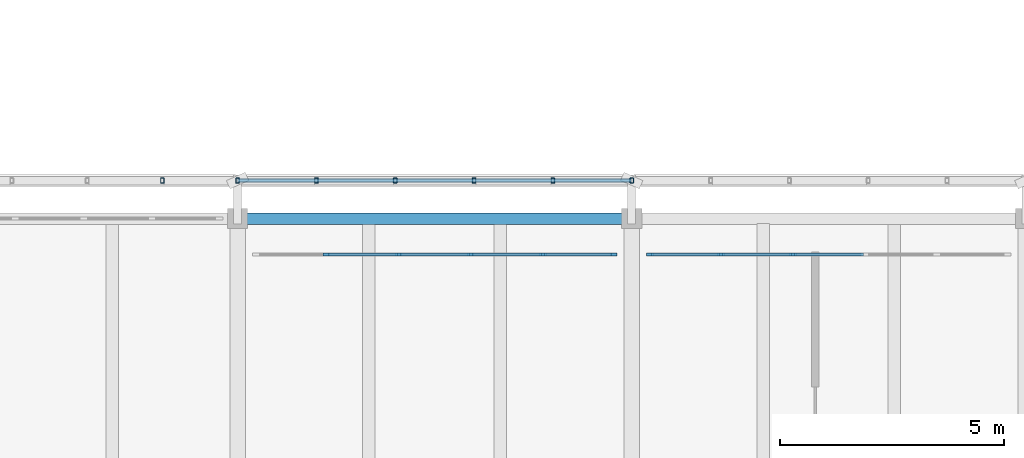
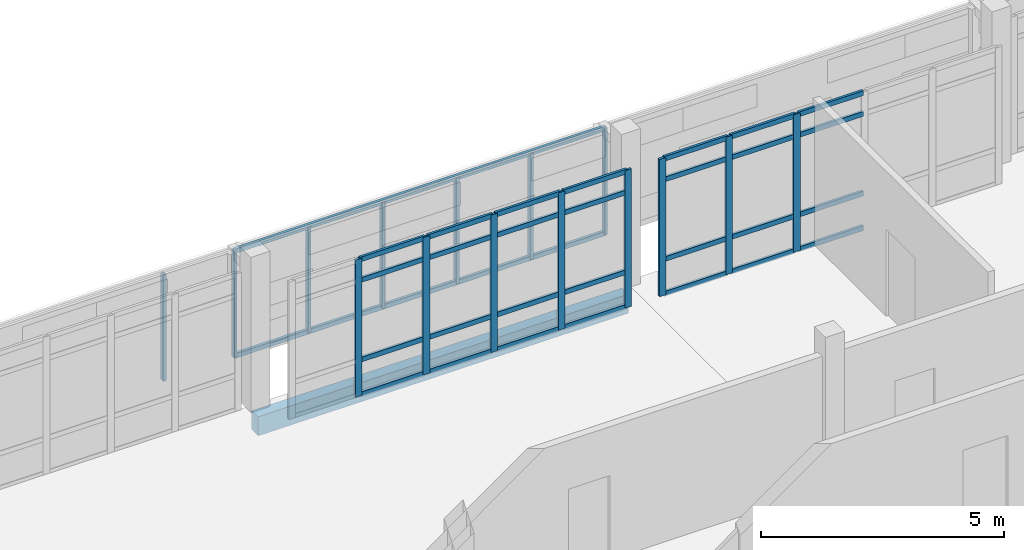
# One storey, part 28 of 117: 45 members, 1 beam, 2 elements without a shape of their own.
"""IFC4 building model written with IfcOpenShell, lengths in metres."""

from ifc_helpers import new_model, si_unit, direction, frame, origin, origin_2d, place, context, subcontext, project, spatial, rectangle, hollow_rectangle, extrude, material, material_profile, profile_set, type_object, element, aggregate, save


model = new_model("IFC4")

# Units and contexts
model_context = context("Model", 3, precision=1e-05, world=origin(), true_north=direction((0.0, 1.0)))
body_context = subcontext(model_context, "Body", "Model", "MODEL_VIEW")
ifc_project = project(units=[si_unit("LENGTHUNIT", "METRE"), si_unit("AREAUNIT", "SQUARE_METRE"), si_unit("VOLUMEUNIT", "CUBIC_METRE"), si_unit("PLANEANGLEUNIT", "RADIAN"), si_unit("MASSUNIT", "GRAM", prefix="KILO")], contexts=[model_context])

# Site, building, storey
site_placement = place(None, origin())
site = spatial("IfcSite", under=ifc_project, at=site_placement, CompositionType="ELEMENT")
building_placement = place(site_placement, origin())
building = spatial("IfcBuilding", under=site, at=building_placement, Name="Cinderway Yard Community Centre", CompositionType="ELEMENT")
storey_placement = place(building_placement, frame((0.0, 0.0, 9.0)))
storey = spatial("IfcBuildingStorey", under=building, at=storey_placement, Name="L02", CompositionType="ELEMENT", Elevation=9.0)

# Curtain wall, members
ifc_material_1 = material(Name="Aluminium 6063-T6", Category="aluminium")
curtain_wall_type = type_object("IfcCurtainWallType", Name="ENV-CW-TYPE-30", PredefinedType="USERDEFINED", material=ifc_material_1)
curtain_wall_1_placement = place(storey_placement, origin())
curtain_wall_1 = element("IfcCurtainWall", 1, at=curtain_wall_1_placement, inside=storey, type_object=curtain_wall_type, Name="Dining Courtyard Curtain Wall ENV-CW-L02-ST-0103", ObjectType="GLAZED CURTAIN WALL", PredefinedType="USERDEFINED")
ifc_material_profile_1 = material_profile(ifc_material_1, rectangle(XDim=0.06005859375, YDim=0.159912109375, at=origin_2d()), Name="Aluminium 6063-T6")
ifc_profile_set_1 = profile_set([ifc_material_profile_1], Name="Aluminium 6063-T6")
member_type_1 = type_object("IfcMemberType", Name="ENV-CW-MULL-150", PredefinedType="MULLION", material=ifc_profile_set_1)
member_1_placement = place(storey_placement, frame((77.18798828125, 22.0, 0.0), z_axis=(0.0, 0.0, 1.0), x_axis=(0.0, 1.0, 0.0)))
member_1 = element("IfcMember", 2, at=member_1_placement, type_object=member_type_1, Name="CW-30 mullion 2", PredefinedType="MULLION", context=body_context, shape_type="SweptSolid", body=[
    extrude(rectangle(XDim=0.06005859375, YDim=0.159912109375, at=origin_2d()), origin(), (0.0, 0.0, 1.0), 3.449951171875),
])
member_2_placement = place(storey_placement, frame((78.7958984375, 22.0, 0.0), z_axis=(0.0, 0.0, 1.0), x_axis=(0.0, 1.0, 0.0)))
member_2 = element("IfcMember", 3, at=member_2_placement, type_object=member_type_1, Name="CW-30 mullion 3", PredefinedType="MULLION", context=body_context, shape_type="SweptSolid", body=[
    extrude(rectangle(XDim=0.06005859375, YDim=0.159912109375, at=origin_2d()), origin(), (0.0, 0.0, 1.0), 3.449951171875),
])
member_3_placement = place(storey_placement, frame((80.404052734375, 22.0, 0.0), z_axis=(0.0, 0.0, 1.0), x_axis=(0.0, 1.0, 0.0)))
member_3 = element("IfcMember", 4, at=member_3_placement, type_object=member_type_1, Name="CW-30 mullion 4", PredefinedType="MULLION", context=body_context, shape_type="SweptSolid", body=[
    extrude(rectangle(XDim=0.06005859375, YDim=0.159912109375, at=origin_2d()), origin(), (0.0, 0.0, 1.0), 3.449951171875),
])
member_4_placement = place(storey_placement, frame((82.011962890625, 22.0, 0.0), z_axis=(0.0, 0.0, 1.0), x_axis=(0.0, 1.0, 0.0)))
member_4 = element("IfcMember", 5, at=member_4_placement, type_object=member_type_1, Name="CW-30 mullion 5", PredefinedType="MULLION", context=body_context, shape_type="SweptSolid", body=[
    extrude(rectangle(XDim=0.06005859375, YDim=0.159912109375, at=origin_2d()), origin(), (0.0, 0.0, 1.0), 3.449951171875),
])
member_5_placement = place(storey_placement, frame((83.590087890625, 22.0, 0.0), z_axis=(0.0, 0.0, 1.0), x_axis=(0.0, 1.0, 0.0)))
member_5 = element("IfcMember", 6, at=member_5_placement, type_object=member_type_1, Name="CW-30 mullion 6", PredefinedType="MULLION", context=body_context, shape_type="SweptSolid", body=[
    extrude(rectangle(XDim=0.06005859375, YDim=0.159912109375, at=origin_2d()), origin(), (0.0, 0.0, 1.0), 3.449951171875),
])

curtain_wall_2_placement = place(storey_placement, origin())
curtain_wall_2 = element("IfcCurtainWall", 7, at=curtain_wall_2_placement, inside=storey, type_object=curtain_wall_type, Name="Dining Courtyard Curtain Wall ENV-CW-L02-ST-0104", ObjectType="GLAZED CURTAIN WALL", PredefinedType="USERDEFINED")
member_6_placement = place(storey_placement, frame((84.409912109375, 22.0, 0.0), z_axis=(0.0, 0.0, 1.0), x_axis=(0.0, 1.0, 0.0)))
member_6 = element("IfcMember", 8, at=member_6_placement, type_object=member_type_1, Name="CW-30 mullion 1", PredefinedType="MULLION", context=body_context, shape_type="SweptSolid", body=[
    extrude(rectangle(XDim=0.06005859375, YDim=0.159912109375, at=origin_2d()), origin(), (0.0, 0.0, 1.0), 3.449951171875),
])
member_7_placement = place(storey_placement, frame((85.988037109375, 22.0, 0.0), z_axis=(0.0, 0.0, 1.0), x_axis=(0.0, 1.0, 0.0)))
member_7 = element("IfcMember", 9, at=member_7_placement, type_object=member_type_1, Name="CW-30 mullion 2", PredefinedType="MULLION", context=body_context, shape_type="SweptSolid", body=[
    extrude(rectangle(XDim=0.06005859375, YDim=0.159912109375, at=origin_2d()), origin(), (0.0, 0.0, 1.0), 3.449951171875),
])
member_8_placement = place(storey_placement, frame((87.595947265625, 22.0, 0.0), z_axis=(0.0, 0.0, 1.0), x_axis=(0.0, 1.0, 0.0)))
member_8 = element("IfcMember", 10, at=member_8_placement, type_object=member_type_1, Name="CW-30 mullion 3", PredefinedType="MULLION", context=body_context, shape_type="SweptSolid", body=[
    extrude(rectangle(XDim=0.06005859375, YDim=0.159912109375, at=origin_2d()), origin(), (0.0, 0.0, 1.0), 3.449951171875),
])

# Member
ifc_material_profile_2 = material_profile(ifc_material_1, rectangle(XDim=0.06005859375, YDim=0.1201171875, at=origin_2d()), Name="Aluminium 6063-T6")
ifc_profile_set_2 = profile_set([ifc_material_profile_2], Name="Aluminium 6063-T6")
member_type_2 = type_object("IfcMemberType", Name="ENV-CW-TRAN-110", PredefinedType="USERDEFINED", material=ifc_profile_set_2)
member_9_placement = place(storey_placement, frame((77.218017578125, 22.0, 0.030029296875), z_axis=(1.0, 0.0, 0.0), x_axis=(0.0, 1.0, 0.0)))
member_9 = element("IfcMember", 11, at=member_9_placement, type_object=member_type_2, Name="CW-30 transom 2.1", ObjectType="TRANSOM", PredefinedType="USERDEFINED", context=body_context, shape_type="SweptSolid", body=[
    extrude(rectangle(XDim=0.06005859375, YDim=0.1201171875, at=origin_2d()), origin(), (0.0, 0.0, 1.0), 1.548095703125),
])

member_10_placement = place(storey_placement, frame((77.218017578125, 22.0, 0.89990234375), z_axis=(1.0, 0.0, 0.0), x_axis=(0.0, 1.0, 0.0)))
member_10 = element("IfcMember", 12, at=member_10_placement, type_object=member_type_2, Name="CW-30 transom 2.2", ObjectType="TRANSOM", PredefinedType="USERDEFINED", context=body_context, shape_type="SweptSolid", body=[
    extrude(rectangle(XDim=0.06005859375, YDim=0.1201171875, at=origin_2d()), origin(), (0.0, 0.0, 1.0), 1.548095703125),
])

member_11_placement = place(storey_placement, frame((77.218017578125, 22.0, 2.89990234375), z_axis=(1.0, 0.0, 0.0), x_axis=(0.0, 1.0, 0.0)))
member_11 = element("IfcMember", 13, at=member_11_placement, type_object=member_type_2, Name="CW-30 transom 2.3", ObjectType="TRANSOM", PredefinedType="USERDEFINED", context=body_context, shape_type="SweptSolid", body=[
    extrude(rectangle(XDim=0.06005859375, YDim=0.1201171875, at=origin_2d()), origin(), (0.0, 0.0, 1.0), 1.548095703125),
])

member_12_placement = place(storey_placement, frame((77.218017578125, 22.0, 3.419921875), z_axis=(1.0, 0.0, 0.0), x_axis=(0.0, 1.0, 0.0)))
member_12 = element("IfcMember", 14, at=member_12_placement, type_object=member_type_2, Name="CW-30 transom 2.4", ObjectType="TRANSOM", PredefinedType="USERDEFINED", context=body_context, shape_type="SweptSolid", body=[
    extrude(rectangle(XDim=0.06005859375, YDim=0.1201171875, at=origin_2d()), origin(), (0.0, 0.0, 1.0), 1.548095703125),
])

member_13_placement = place(storey_placement, frame((78.825927734375, 22.0, 0.030029296875), z_axis=(1.0, 0.0, 0.0), x_axis=(0.0, 1.0, 0.0)))
member_13 = element("IfcMember", 15, at=member_13_placement, type_object=member_type_2, Name="CW-30 transom 3.1", ObjectType="TRANSOM", PredefinedType="USERDEFINED", context=body_context, shape_type="SweptSolid", body=[
    extrude(rectangle(XDim=0.06005859375, YDim=0.1201171875, at=origin_2d()), origin(), (0.0, 0.0, 1.0), 1.548095703125),
])

member_14_placement = place(storey_placement, frame((78.825927734375, 22.0, 0.89990234375), z_axis=(1.0, 0.0, 0.0), x_axis=(0.0, 1.0, 0.0)))
member_14 = element("IfcMember", 16, at=member_14_placement, type_object=member_type_2, Name="CW-30 transom 3.2", ObjectType="TRANSOM", PredefinedType="USERDEFINED", context=body_context, shape_type="SweptSolid", body=[
    extrude(rectangle(XDim=0.06005859375, YDim=0.1201171875, at=origin_2d()), origin(), (0.0, 0.0, 1.0), 1.548095703125),
])

member_15_placement = place(storey_placement, frame((78.825927734375, 22.0, 2.89990234375), z_axis=(1.0, 0.0, 0.0), x_axis=(0.0, 1.0, 0.0)))
member_15 = element("IfcMember", 17, at=member_15_placement, type_object=member_type_2, Name="CW-30 transom 3.3", ObjectType="TRANSOM", PredefinedType="USERDEFINED", context=body_context, shape_type="SweptSolid", body=[
    extrude(rectangle(XDim=0.06005859375, YDim=0.1201171875, at=origin_2d()), origin(), (0.0, 0.0, 1.0), 1.548095703125),
])

member_16_placement = place(storey_placement, frame((78.825927734375, 22.0, 3.419921875), z_axis=(1.0, 0.0, 0.0), x_axis=(0.0, 1.0, 0.0)))
member_16 = element("IfcMember", 18, at=member_16_placement, type_object=member_type_2, Name="CW-30 transom 3.4", ObjectType="TRANSOM", PredefinedType="USERDEFINED", context=body_context, shape_type="SweptSolid", body=[
    extrude(rectangle(XDim=0.06005859375, YDim=0.1201171875, at=origin_2d()), origin(), (0.0, 0.0, 1.0), 1.548095703125),
])

member_17_placement = place(storey_placement, frame((80.43408203125, 22.0, 0.030029296875), z_axis=(1.0, 0.0, 0.0), x_axis=(0.0, 1.0, 0.0)))
member_17 = element("IfcMember", 19, at=member_17_placement, type_object=member_type_2, Name="CW-30 transom 4.1", ObjectType="TRANSOM", PredefinedType="USERDEFINED", context=body_context, shape_type="SweptSolid", body=[
    extrude(rectangle(XDim=0.06005859375, YDim=0.1201171875, at=origin_2d()), origin(), (0.0, 0.0, 1.0), 1.5478515625),
])

member_18_placement = place(storey_placement, frame((80.43408203125, 22.0, 0.89990234375), z_axis=(1.0, 0.0, 0.0), x_axis=(0.0, 1.0, 0.0)))
member_18 = element("IfcMember", 20, at=member_18_placement, type_object=member_type_2, Name="CW-30 transom 4.2", ObjectType="TRANSOM", PredefinedType="USERDEFINED", context=body_context, shape_type="SweptSolid", body=[
    extrude(rectangle(XDim=0.06005859375, YDim=0.1201171875, at=origin_2d()), origin(), (0.0, 0.0, 1.0), 1.5478515625),
])

member_19_placement = place(storey_placement, frame((80.43408203125, 22.0, 2.89990234375), z_axis=(1.0, 0.0, 0.0), x_axis=(0.0, 1.0, 0.0)))
member_19 = element("IfcMember", 21, at=member_19_placement, type_object=member_type_2, Name="CW-30 transom 4.3", ObjectType="TRANSOM", PredefinedType="USERDEFINED", context=body_context, shape_type="SweptSolid", body=[
    extrude(rectangle(XDim=0.06005859375, YDim=0.1201171875, at=origin_2d()), origin(), (0.0, 0.0, 1.0), 1.5478515625),
])

member_20_placement = place(storey_placement, frame((80.43408203125, 22.0, 3.419921875), z_axis=(1.0, 0.0, 0.0), x_axis=(0.0, 1.0, 0.0)))
member_20 = element("IfcMember", 22, at=member_20_placement, type_object=member_type_2, Name="CW-30 transom 4.4", ObjectType="TRANSOM", PredefinedType="USERDEFINED", context=body_context, shape_type="SweptSolid", body=[
    extrude(rectangle(XDim=0.06005859375, YDim=0.1201171875, at=origin_2d()), origin(), (0.0, 0.0, 1.0), 1.5478515625),
])

member_21_placement = place(storey_placement, frame((82.0419921875, 22.0, 0.030029296875), z_axis=(1.0, 0.0, 0.0), x_axis=(0.0, 1.0, 0.0)))
member_21 = element("IfcMember", 23, at=member_21_placement, type_object=member_type_2, Name="CW-30 transom 5.1", ObjectType="TRANSOM", PredefinedType="USERDEFINED", context=body_context, shape_type="SweptSolid", body=[
    extrude(rectangle(XDim=0.06005859375, YDim=0.1201171875, at=origin_2d()), origin(), (0.0, 0.0, 1.0), 1.51806640625),
])

member_22_placement = place(storey_placement, frame((82.0419921875, 22.0, 0.89990234375), z_axis=(1.0, 0.0, 0.0), x_axis=(0.0, 1.0, 0.0)))
member_22 = element("IfcMember", 24, at=member_22_placement, type_object=member_type_2, Name="CW-30 transom 5.2", ObjectType="TRANSOM", PredefinedType="USERDEFINED", context=body_context, shape_type="SweptSolid", body=[
    extrude(rectangle(XDim=0.06005859375, YDim=0.1201171875, at=origin_2d()), origin(), (0.0, 0.0, 1.0), 1.51806640625),
])

member_23_placement = place(storey_placement, frame((82.0419921875, 22.0, 2.89990234375), z_axis=(1.0, 0.0, 0.0), x_axis=(0.0, 1.0, 0.0)))
member_23 = element("IfcMember", 25, at=member_23_placement, type_object=member_type_2, Name="CW-30 transom 5.3", ObjectType="TRANSOM", PredefinedType="USERDEFINED", context=body_context, shape_type="SweptSolid", body=[
    extrude(rectangle(XDim=0.06005859375, YDim=0.1201171875, at=origin_2d()), origin(), (0.0, 0.0, 1.0), 1.51806640625),
])

member_24_placement = place(storey_placement, frame((82.0419921875, 22.0, 3.419921875), z_axis=(1.0, 0.0, 0.0), x_axis=(0.0, 1.0, 0.0)))
member_24 = element("IfcMember", 26, at=member_24_placement, type_object=member_type_2, Name="CW-30 transom 5.4", ObjectType="TRANSOM", PredefinedType="USERDEFINED", context=body_context, shape_type="SweptSolid", body=[
    extrude(rectangle(XDim=0.06005859375, YDim=0.1201171875, at=origin_2d()), origin(), (0.0, 0.0, 1.0), 1.51806640625),
])

aggregate(curtain_wall_1, [member_1, member_2, member_3, member_4, member_5, member_9, member_10, member_11, member_12, member_13, member_14, member_15, member_16, member_17, member_18, member_19, member_20, member_21, member_22, member_23, member_24])

member_25_placement = place(storey_placement, frame((84.43994140625, 22.0, 0.030029296875), z_axis=(1.0, 0.0, 0.0), x_axis=(0.0, 1.0, 0.0)))
member_25 = element("IfcMember", 27, at=member_25_placement, type_object=member_type_2, Name="CW-30 transom 1.1", ObjectType="TRANSOM", PredefinedType="USERDEFINED", context=body_context, shape_type="SweptSolid", body=[
    extrude(rectangle(XDim=0.06005859375, YDim=0.1201171875, at=origin_2d()), origin(), (0.0, 0.0, 1.0), 1.51806640625),
])

member_26_placement = place(storey_placement, frame((84.43994140625, 22.0, 0.89990234375), z_axis=(1.0, 0.0, 0.0), x_axis=(0.0, 1.0, 0.0)))
member_26 = element("IfcMember", 28, at=member_26_placement, type_object=member_type_2, Name="CW-30 transom 1.2", ObjectType="TRANSOM", PredefinedType="USERDEFINED", context=body_context, shape_type="SweptSolid", body=[
    extrude(rectangle(XDim=0.06005859375, YDim=0.1201171875, at=origin_2d()), origin(), (0.0, 0.0, 1.0), 1.51806640625),
])

member_27_placement = place(storey_placement, frame((84.43994140625, 22.0, 2.89990234375), z_axis=(1.0, 0.0, 0.0), x_axis=(0.0, 1.0, 0.0)))
member_27 = element("IfcMember", 29, at=member_27_placement, type_object=member_type_2, Name="CW-30 transom 1.3", ObjectType="TRANSOM", PredefinedType="USERDEFINED", context=body_context, shape_type="SweptSolid", body=[
    extrude(rectangle(XDim=0.06005859375, YDim=0.1201171875, at=origin_2d()), origin(), (0.0, 0.0, 1.0), 1.51806640625),
])

member_28_placement = place(storey_placement, frame((84.43994140625, 22.0, 3.419921875), z_axis=(1.0, 0.0, 0.0), x_axis=(0.0, 1.0, 0.0)))
member_28 = element("IfcMember", 30, at=member_28_placement, type_object=member_type_2, Name="CW-30 transom 1.4", ObjectType="TRANSOM", PredefinedType="USERDEFINED", context=body_context, shape_type="SweptSolid", body=[
    extrude(rectangle(XDim=0.06005859375, YDim=0.1201171875, at=origin_2d()), origin(), (0.0, 0.0, 1.0), 1.51806640625),
])

member_29_placement = place(storey_placement, frame((86.01806640625, 22.0, 0.030029296875), z_axis=(1.0, 0.0, 0.0), x_axis=(0.0, 1.0, 0.0)))
member_29 = element("IfcMember", 31, at=member_29_placement, type_object=member_type_2, Name="CW-30 transom 2.1", ObjectType="TRANSOM", PredefinedType="USERDEFINED", context=body_context, shape_type="SweptSolid", body=[
    extrude(rectangle(XDim=0.06005859375, YDim=0.1201171875, at=origin_2d()), origin(), (0.0, 0.0, 1.0), 1.5478515625),
])

member_30_placement = place(storey_placement, frame((86.01806640625, 22.0, 0.89990234375), z_axis=(1.0, 0.0, 0.0), x_axis=(0.0, 1.0, 0.0)))
member_30 = element("IfcMember", 32, at=member_30_placement, type_object=member_type_2, Name="CW-30 transom 2.2", ObjectType="TRANSOM", PredefinedType="USERDEFINED", context=body_context, shape_type="SweptSolid", body=[
    extrude(rectangle(XDim=0.06005859375, YDim=0.1201171875, at=origin_2d()), origin(), (0.0, 0.0, 1.0), 1.5478515625),
])

member_31_placement = place(storey_placement, frame((86.01806640625, 22.0, 2.89990234375), z_axis=(1.0, 0.0, 0.0), x_axis=(0.0, 1.0, 0.0)))
member_31 = element("IfcMember", 33, at=member_31_placement, type_object=member_type_2, Name="CW-30 transom 2.3", ObjectType="TRANSOM", PredefinedType="USERDEFINED", context=body_context, shape_type="SweptSolid", body=[
    extrude(rectangle(XDim=0.06005859375, YDim=0.1201171875, at=origin_2d()), origin(), (0.0, 0.0, 1.0), 1.5478515625),
])

member_32_placement = place(storey_placement, frame((86.01806640625, 22.0, 3.419921875), z_axis=(1.0, 0.0, 0.0), x_axis=(0.0, 1.0, 0.0)))
member_32 = element("IfcMember", 34, at=member_32_placement, type_object=member_type_2, Name="CW-30 transom 2.4", ObjectType="TRANSOM", PredefinedType="USERDEFINED", context=body_context, shape_type="SweptSolid", body=[
    extrude(rectangle(XDim=0.06005859375, YDim=0.1201171875, at=origin_2d()), origin(), (0.0, 0.0, 1.0), 1.5478515625),
])

member_33_placement = place(storey_placement, frame((87.6259765625, 22.0, 0.030029296875), z_axis=(1.0, 0.0, 0.0), x_axis=(0.0, 1.0, 0.0)))
member_33 = element("IfcMember", 35, at=member_33_placement, type_object=member_type_2, Name="CW-30 transom 3.1", ObjectType="TRANSOM", PredefinedType="USERDEFINED", context=body_context, shape_type="SweptSolid", body=[
    extrude(rectangle(XDim=0.06005859375, YDim=0.1201171875, at=origin_2d()), origin(), (0.0, 0.0, 1.0), 1.548095703125),
])

member_34_placement = place(storey_placement, frame((87.6259765625, 22.0, 0.89990234375), z_axis=(1.0, 0.0, 0.0), x_axis=(0.0, 1.0, 0.0)))
member_34 = element("IfcMember", 36, at=member_34_placement, type_object=member_type_2, Name="CW-30 transom 3.2", ObjectType="TRANSOM", PredefinedType="USERDEFINED", context=body_context, shape_type="SweptSolid", body=[
    extrude(rectangle(XDim=0.06005859375, YDim=0.1201171875, at=origin_2d()), origin(), (0.0, 0.0, 1.0), 1.548095703125),
])

member_35_placement = place(storey_placement, frame((87.6259765625, 22.0, 2.89990234375), z_axis=(1.0, 0.0, 0.0), x_axis=(0.0, 1.0, 0.0)))
member_35 = element("IfcMember", 37, at=member_35_placement, type_object=member_type_2, Name="CW-30 transom 3.3", ObjectType="TRANSOM", PredefinedType="USERDEFINED", context=body_context, shape_type="SweptSolid", body=[
    extrude(rectangle(XDim=0.06005859375, YDim=0.1201171875, at=origin_2d()), origin(), (0.0, 0.0, 1.0), 1.548095703125),
])

member_36_placement = place(storey_placement, frame((87.6259765625, 22.0, 3.419921875), z_axis=(1.0, 0.0, 0.0), x_axis=(0.0, 1.0, 0.0)))
member_36 = element("IfcMember", 38, at=member_36_placement, type_object=member_type_2, Name="CW-30 transom 3.4", ObjectType="TRANSOM", PredefinedType="USERDEFINED", context=body_context, shape_type="SweptSolid", body=[
    extrude(rectangle(XDim=0.06005859375, YDim=0.1201171875, at=origin_2d()), origin(), (0.0, 0.0, 1.0), 1.548095703125),
])

aggregate(curtain_wall_2, [member_6, member_7, member_8, member_25, member_26, member_27, member_28, member_29, member_30, member_31, member_32, member_33, member_34, member_35, member_36])

# Members
ifc_material_2 = material(Name="Steel S355", Category="steel")
ifc_material_profile_3 = material_profile(ifc_material_2, hollow_rectangle(XDim=0.080078125, YDim=0.1201171875, WallThickness=0.00634765625, InnerFilletRadius=0.00634765625, OuterFilletRadius=0.0126953125, at=origin_2d()), Name="Steel S355")
ifc_profile_set_3 = profile_set([ifc_material_profile_3], Name="Steel S355")
member_type_3 = type_object("IfcMemberType", Name="ENV-MEM-SCREEN-RAIL-120", PredefinedType="STRINGER", material=ifc_profile_set_3)
for number, where, z_axis, x_axis, name in (
    (39, (73.52001953125, 23.64990234375, 0.68994140625), (0.0, 0.0, 1.0), (1.0, 0.0, 0.0), "Screen vertical mullion 0705"),
    (40, (75.199951171875, 23.64990234375, 0.68994140625), (0.0, 0.0, 1.0), (1.0, 0.0, 0.0), "Screen vertical mullion 0706"),
):
    element("IfcMember", number, at=place(storey_placement, frame(where, z_axis=z_axis, x_axis=x_axis)), inside=storey, type_object=member_type_3, Name=name, PredefinedType="STRINGER", context=body_context, shape_type="SweptSolid", body=[
        extrude(hollow_rectangle(XDim=0.080078125, YDim=0.1201171875, WallThickness=0.00634765625, InnerFilletRadius=0.00634765625, OuterFilletRadius=0.0126953125, at=origin_2d()), origin(), (0.0, 0.0, 1.0), 2.670166015625),
    ])
for number, where, z_axis, x_axis, name in (
    (41, (75.199951171875, 23.64990234375, 0.7099609375), (1.0, 0.0, 0.0), (0.0, 1.0, 0.0), "Screen support rail 0708-BOT"),
    (42, (75.199951171875, 23.64990234375, 3.340087890625), (1.0, 0.0, 0.0), (0.0, 1.0, 0.0), "Screen support rail 0709-TOP"),
):
    element("IfcMember", number, at=place(storey_placement, frame(where, z_axis=z_axis, x_axis=x_axis)), inside=storey, type_object=member_type_3, Name=name, PredefinedType="STRINGER", context=body_context, shape_type="SweptSolid", body=[
        extrude(hollow_rectangle(XDim=0.080078125, YDim=0.1201171875, WallThickness=0.00634765625, InnerFilletRadius=0.00634765625, OuterFilletRadius=0.0126953125, at=origin_2d()), origin(), (0.0, 0.0, 1.0), 8.800048828125),
    ])
for number, where, z_axis, x_axis, name in (
    (43, (76.9599609375, 23.64990234375, 0.68994140625), (0.0, 0.0, 1.0), (1.0, 0.0, 0.0), "Screen vertical mullion 0710"),
    (44, (78.719970703125, 23.64990234375, 0.68994140625), (0.0, 0.0, 1.0), (1.0, 0.0, 0.0), "Screen vertical mullion 0711"),
    (45, (80.47998046875, 23.64990234375, 0.68994140625), (0.0, 0.0, 1.0), (1.0, 0.0, 0.0), "Screen vertical mullion 0712"),
    (46, (82.239990234375, 23.64990234375, 0.68994140625), (0.0, 0.0, 1.0), (1.0, 0.0, 0.0), "Screen vertical mullion 0713"),
    (47, (84.0, 23.64990234375, 0.68994140625), (0.0, 0.0, 1.0), (1.0, 0.0, 0.0), "Screen vertical mullion 0714"),
):
    element("IfcMember", number, at=place(storey_placement, frame(where, z_axis=z_axis, x_axis=x_axis)), inside=storey, type_object=member_type_3, Name=name, PredefinedType="STRINGER", context=body_context, shape_type="SweptSolid", body=[
        extrude(hollow_rectangle(XDim=0.080078125, YDim=0.1201171875, WallThickness=0.00634765625, InnerFilletRadius=0.00634765625, OuterFilletRadius=0.0126953125, at=origin_2d()), origin(), (0.0, 0.0, 1.0), 2.670166015625),
    ])

# Beam
ifc_material_3 = material(Name="Concrete C40/50", Category="concrete")
ifc_material_profile_4 = material_profile(ifc_material_3, rectangle(XDim=0.260009765625, YDim=0.47998046875, at=origin_2d()), Name="Concrete C40/50")
ifc_profile_set_4 = profile_set([ifc_material_profile_4], Name="Concrete C40/50")
beam_type = type_object("IfcBeamType", Name="STR-BM-RC260X480", PredefinedType="SPANDREL", material=ifc_profile_set_4)
beam_placement = place(storey_placement, frame((75.199951171875, 22.800048828125, -0.47998046875), z_axis=(1.0, 0.0, 0.0), x_axis=(0.0, 1.0, 0.0)))
element("IfcBeam", 48, at=beam_placement, inside=storey, type_object=beam_type, Name="Primary girder STR-BM-L02-SP01-0451", PredefinedType="SPANDREL", context=body_context, shape_type="SweptSolid", body=[
    extrude(rectangle(XDim=0.260009765625, YDim=0.47998046875, at=origin_2d()), origin(), (0.0, 0.0, 1.0), 8.800048828125),
])

save(model, "model.ifc")
